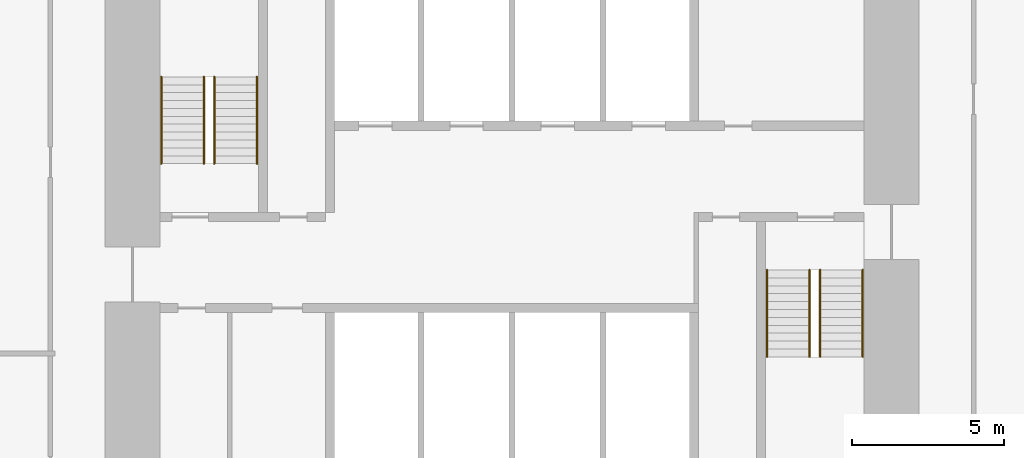
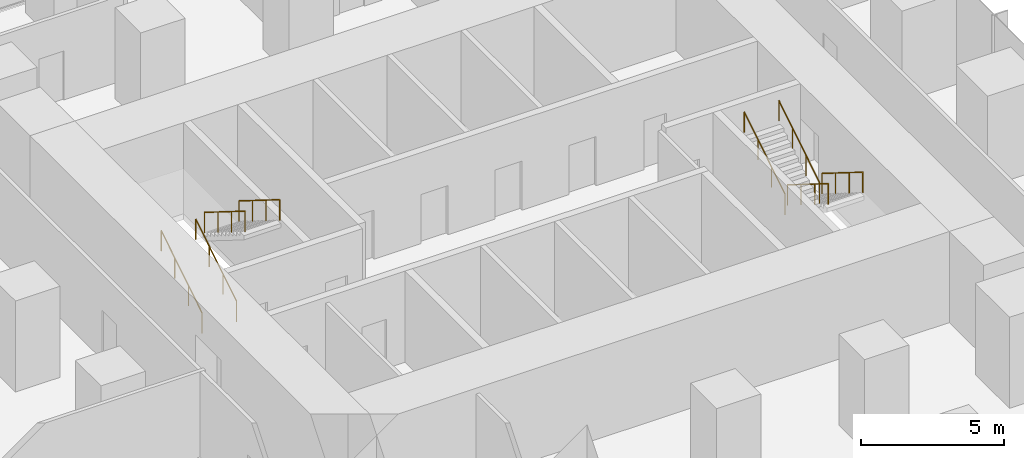
# One storey, part 11 of 11: 8 railings.
"""IFC4 building model written with IfcOpenShell, lengths in metres."""

from ifc_helpers import new_model, si_unit, direction, frame, origin, origin_2d, place, context, subcontext, project, spatial, circle, extrude, material, type_object, element, save


model = new_model("IFC4")

# Units and contexts
model_context = context("Model", 3, precision=1e-05, world=origin(), true_north=direction((0.0, 1.0)))
body_context = subcontext(model_context, "Body", "Model", "MODEL_VIEW")
ifc_project = project(units=[si_unit("LENGTHUNIT", "METRE"), si_unit("AREAUNIT", "SQUARE_METRE"), si_unit("VOLUMEUNIT", "CUBIC_METRE"), si_unit("PLANEANGLEUNIT", "RADIAN"), si_unit("MASSUNIT", "GRAM", prefix="KILO")], contexts=[model_context])

# Site, building, storey
site_placement = place(None, origin())
site = spatial("IfcSite", under=ifc_project, at=site_placement, CompositionType="ELEMENT")
building_placement = place(site_placement, origin())
building = spatial("IfcBuilding", under=site, at=building_placement, Name="Highveld Stack Headquarters", CompositionType="ELEMENT")
storey_placement = place(building_placement, frame((0.0, 0.0, 29.89990234375)))
storey = spatial("IfcBuildingStorey", under=building, at=storey_placement, Name="L06", CompositionType="ELEMENT", Elevation=29.89990234375)

# Railings
ifc_material = material(Name="Stainless steel handrail", Category="steel")
railing_type = type_object("IfcRailingType", Name="STAIR HANDRAIL HR1 900", PredefinedType="HANDRAIL", material=ifc_material)
for number, where, name in (
    (1, (-5.550048828125, 4.75, 0.16259765625), "Handrail S1 L06 flight 1"),
    (2, (-4.14990234375, 4.75, 0.16259765625), "Handrail S1 L06 flight 1"),
):
    element("IfcRailing", number, at=place(storey_placement, frame(where)), inside=storey, type_object=railing_type, Name=name, PredefinedType="HANDRAIL", context=body_context, shape_type="SweptSolid", body=[
        extrude(circle(Radius=0.02392578125, at=origin_2d()), frame((0.0, 0.0, 0.8759765625), z_axis=(0.0, 0.847994237388, 0.530005446535), x_axis=(-1.0, 0.0, 0.0)), (0.0, 0.0, 1.0), 3.372802734375),
        extrude(circle(Radius=0.02099609375, at=origin_2d()), origin(), (0.0, 0.0, 1.0), 0.851806640625),
        extrude(circle(Radius=0.02099609375, at=origin_2d()), frame((0.0, 0.953369140625, 0.595947265625)), (0.0, 0.0, 1.0), 0.851806640625),
        extrude(circle(Radius=0.02099609375, at=origin_2d()), frame((0.0, 1.90673828125, 1.191650390625)), (0.0, 0.0, 1.0), 0.851806640625),
        extrude(circle(Radius=0.02099609375, at=origin_2d()), frame((0.0, 2.860107421875, 1.78759765625)), (0.0, 0.0, 1.0), 0.851806640625),
    ])
for number, where, name in (
    (3, (-3.800048828125, 7.610107421875, 2.112548828125), "Handrail S1 L06 flight 2"),
    (4, (-2.39990234375, 7.610107421875, 2.112548828125), "Handrail S1 L06 flight 2"),
    (5, (16.14990234375, 1.25, 0.16259765625), "Handrail S2 L06 flight 1"),
    (6, (17.550048828125, 1.25, 0.16259765625), "Handrail S2 L06 flight 1"),
):
    element("IfcRailing", number, at=place(storey_placement, frame(where)), inside=storey, type_object=railing_type, Name=name, PredefinedType="HANDRAIL", context=body_context, shape_type="SweptSolid", body=[
        extrude(circle(Radius=0.02392578125, at=origin_2d()), frame((0.0, 0.0, 0.8759765625), z_axis=(0.0, -0.847994237388, 0.530005446535), x_axis=(1.0, 0.0, 0.0)), (0.0, 0.0, 1.0), 3.372802734375),
        extrude(circle(Radius=0.02099609375, at=origin_2d()), origin(), (0.0, 0.0, 1.0), 0.851806640625),
        extrude(circle(Radius=0.02099609375, at=origin_2d()), frame((0.0, -0.953369140625, 0.595947265625)), (0.0, 0.0, 1.0), 0.851806640625),
        extrude(circle(Radius=0.02099609375, at=origin_2d()), frame((0.0, -1.90673828125, 1.191650390625)), (0.0, 0.0, 1.0), 0.851806640625),
        extrude(circle(Radius=0.02099609375, at=origin_2d()), frame((0.0, -2.860107421875, 1.78759765625)), (0.0, 0.0, 1.0), 0.851806640625),
    ])
for number, where, name in (
    (7, (14.39990234375, -1.610107421875, 2.112548828125), "Handrail S2 L06 flight 2"),
    (8, (15.800048828125, -1.610107421875, 2.112548828125), "Handrail S2 L06 flight 2"),
):
    element("IfcRailing", number, at=place(storey_placement, frame(where)), inside=storey, type_object=railing_type, Name=name, PredefinedType="HANDRAIL", context=body_context, shape_type="SweptSolid", body=[
        extrude(circle(Radius=0.02392578125, at=origin_2d()), frame((0.0, 0.0, 0.8759765625), z_axis=(0.0, 0.847994237388, 0.530005446535), x_axis=(-1.0, 0.0, 0.0)), (0.0, 0.0, 1.0), 3.372802734375),
        extrude(circle(Radius=0.02099609375, at=origin_2d()), origin(), (0.0, 0.0, 1.0), 0.851806640625),
        extrude(circle(Radius=0.02099609375, at=origin_2d()), frame((0.0, 0.953369140625, 0.595947265625)), (0.0, 0.0, 1.0), 0.851806640625),
        extrude(circle(Radius=0.02099609375, at=origin_2d()), frame((0.0, 1.90673828125, 1.191650390625)), (0.0, 0.0, 1.0), 0.851806640625),
        extrude(circle(Radius=0.02099609375, at=origin_2d()), frame((0.0, 2.860107421875, 1.78759765625)), (0.0, 0.0, 1.0), 0.851806640625),
    ])

save(model, "model.ifc")
